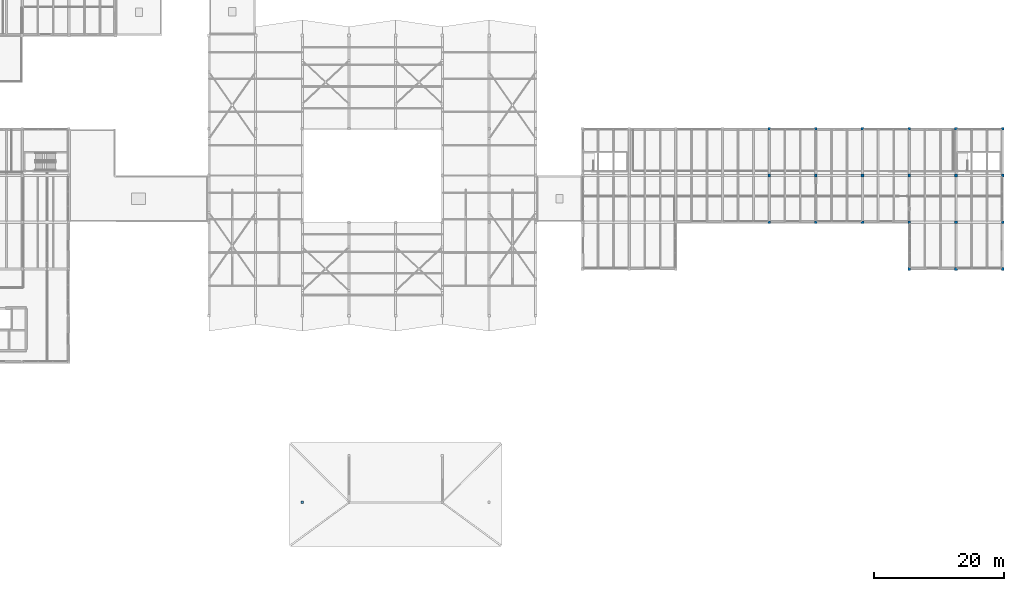
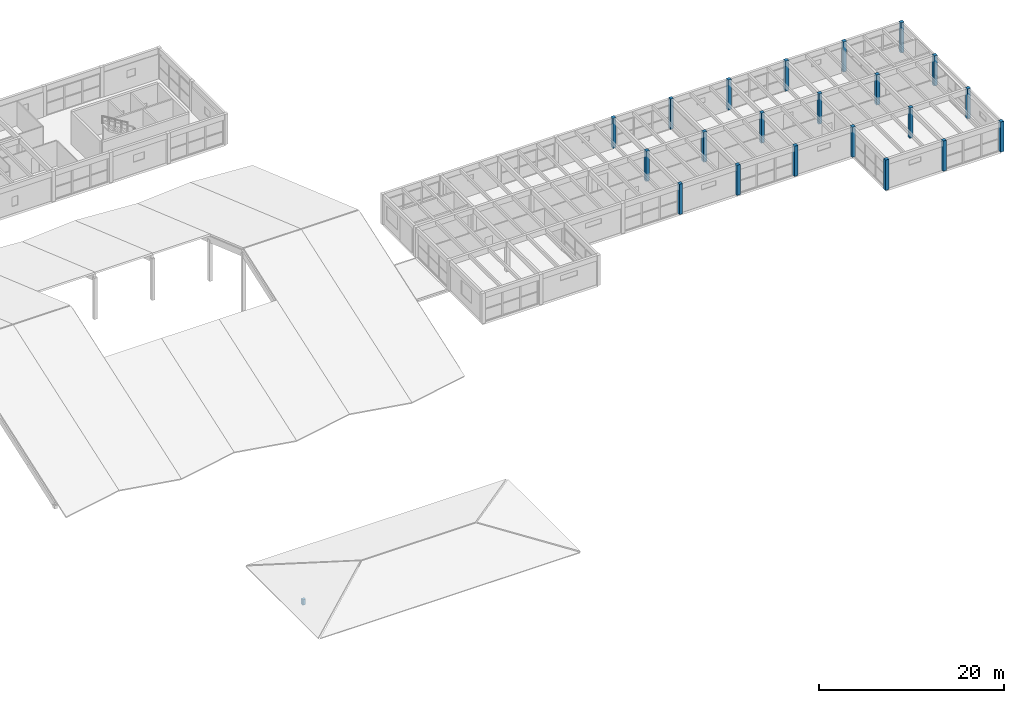
# One storey, part 4 of 68: 22 columns.
"""IFC4 building model written with IfcOpenShell, lengths in metres."""

from ifc_helpers import new_model, si_unit, direction, frame, origin, origin_2d, place, context, subcontext, project, spatial, rectangle, extrude, material, material_profile, profile_set, type_object, element, save


model = new_model("IFC4")

# Units and contexts
model_context = context("Model", 3, precision=1e-05, world=origin(), true_north=direction((0.0, 1.0)))
body_context = subcontext(model_context, "Body", "Model", "MODEL_VIEW")
ifc_project = project(units=[si_unit("LENGTHUNIT", "METRE"), si_unit("AREAUNIT", "SQUARE_METRE"), si_unit("VOLUMEUNIT", "CUBIC_METRE"), si_unit("PLANEANGLEUNIT", "RADIAN"), si_unit("MASSUNIT", "GRAM", prefix="KILO")], contexts=[model_context])

# Site, building, storey
site_placement = place(None, origin())
site = spatial("IfcSite", under=ifc_project, at=site_placement, CompositionType="ELEMENT")
building_placement = place(site_placement, origin())
building = spatial("IfcBuilding", under=site, at=building_placement, Name="Bramvelor Terrace Health Centre", CompositionType="ELEMENT")
storey_placement = place(building_placement, frame((0.0, 0.0, 9.300048828125)))
storey = spatial("IfcBuildingStorey", under=building, at=storey_placement, Name="L03", CompositionType="ELEMENT", Elevation=9.300048828125)

# Columns
ifc_material_1 = material(Name="Glulam GL28h", Category="wood")
ifc_material_profile_1 = material_profile(ifc_material_1, rectangle(XDim=0.360107421875, YDim=0.360107421875, at=origin_2d()), Name="GL 360x360")
ifc_profile_set_1 = profile_set([ifc_material_profile_1], Name="Glulam GL28h")
column_type_1 = type_object("IfcColumnType", Name="COL-GL-360", PredefinedType="COLUMN", material=ifc_profile_set_1)
column_placement = place(storey_placement, frame((57.60009765625, 7.199951171875, -0.25), z_axis=(0.0, 0.0, 1.0), x_axis=(1.0, 0.0, 0.0)))
element("IfcColumn", 1, at=column_placement, inside=storey, type_object=column_type_1, Name="Prairie Hip Roof Ring Post (57.6, 7.2)", PredefinedType="COLUMN", context=body_context, shape_type="SweptSolid", body=[
    extrude(rectangle(XDim=0.360107421875, YDim=0.360107421875, at=origin_2d()), origin(), (0.0, 0.0, 1.0), 0.724609375),
])
ifc_material_2 = material(Name="Glulam GL28h", Category="wood")
ifc_material_profile_2 = material_profile(ifc_material_2, rectangle(XDim=0.419921875, YDim=0.419921875, at=origin_2d()), Name="GL 420x420")
ifc_profile_set_2 = profile_set([ifc_material_profile_2], Name="Glulam GL28h")
column_type_2 = type_object("IfcColumnType", Name="COL-GL-420", PredefinedType="COLUMN", material=ifc_profile_set_2)
for number, where, z_axis, x_axis, name in (
    (2, (129.60009765625, 50.39990234375, 0.0), (0.0, 0.0, 1.0), (1.0, 0.0, 0.0), "L03 Column (129.6, 50.4)"),
    (3, (129.60009765625, 57.60009765625, 0.0), (0.0, 0.0, 1.0), (1.0, 0.0, 0.0), "L03 Column (129.6, 57.6)"),
    (4, (129.60009765625, 64.800048828125, 0.0), (0.0, 0.0, 1.0), (1.0, 0.0, 0.0), "L03 Column (129.6, 64.8)"),
    (5, (136.800048828125, 50.39990234375, 0.0), (0.0, 0.0, 1.0), (1.0, 0.0, 0.0), "L03 Column (136.8, 50.4)"),
    (6, (136.800048828125, 57.60009765625, 0.0), (0.0, 0.0, 1.0), (1.0, 0.0, 0.0), "L03 Column (136.8, 57.6)"),
    (7, (136.800048828125, 64.800048828125, 0.0), (0.0, 0.0, 1.0), (1.0, 0.0, 0.0), "L03 Column (136.8, 64.8)"),
    (8, (144.0, 50.39990234375, 0.0), (0.0, 0.0, 1.0), (1.0, 0.0, 0.0), "L03 Column (144.0, 50.4)"),
    (9, (144.0, 57.60009765625, 0.0), (0.0, 0.0, 1.0), (1.0, 0.0, 0.0), "L03 Column (144.0, 57.6)"),
    (10, (144.0, 64.800048828125, 0.0), (0.0, 0.0, 1.0), (1.0, 0.0, 0.0), "L03 Column (144.0, 64.8)"),
    (11, (151.199951171875, 43.199951171875, 0.0), (0.0, 0.0, 1.0), (1.0, 0.0, 0.0), "L03 Column (151.2, 43.2)"),
    (12, (151.199951171875, 50.39990234375, 0.0), (0.0, 0.0, 1.0), (1.0, 0.0, 0.0), "L03 Column (151.2, 50.4)"),
    (13, (151.199951171875, 57.60009765625, 0.0), (0.0, 0.0, 1.0), (1.0, 0.0, 0.0), "L03 Column (151.2, 57.6)"),
    (14, (151.199951171875, 64.800048828125, 0.0), (0.0, 0.0, 1.0), (1.0, 0.0, 0.0), "L03 Column (151.2, 64.8)"),
    (15, (158.39990234375, 43.199951171875, 0.0), (0.0, 0.0, 1.0), (1.0, 0.0, 0.0), "L03 Column (158.4, 43.2)"),
    (16, (158.39990234375, 50.39990234375, 0.0), (0.0, 0.0, 1.0), (1.0, 0.0, 0.0), "L03 Column (158.4, 50.4)"),
    (17, (158.39990234375, 57.60009765625, 0.0), (0.0, 0.0, 1.0), (1.0, 0.0, 0.0), "L03 Column (158.4, 57.6)"),
    (18, (158.39990234375, 64.800048828125, 0.0), (0.0, 0.0, 1.0), (1.0, 0.0, 0.0), "L03 Column (158.4, 64.8)"),
):
    element("IfcColumn", number, at=place(storey_placement, frame(where, z_axis=z_axis, x_axis=x_axis)), inside=storey, type_object=column_type_2, Name=name, PredefinedType="COLUMN", context=body_context, shape_type="SweptSolid", body=[
        extrude(rectangle(XDim=0.419921875, YDim=0.419921875, at=origin_2d()), origin(), (0.0, 0.0, 1.0), 3.989990234375),
    ])
ifc_material_3 = material(Name="Glulam GL28h", Category="wood")
ifc_material_profile_3 = material_profile(ifc_material_3, rectangle(XDim=0.419921875, YDim=0.419921875, at=origin_2d()), Name="GL 420x420")
ifc_profile_set_3 = profile_set([ifc_material_profile_3], Name="Glulam GL28h")
column_type_3 = type_object("IfcColumnType", Name="COL-GL-420-EXT", PredefinedType="COLUMN", material=ifc_profile_set_3)
for number, where, z_axis, x_axis, name in (
    (19, (165.60009765625, 43.199951171875, 0.0), (0.0, 0.0, 1.0), (1.0, 0.0, 0.0), "L03 Column (165.6, 43.2)"),
    (20, (165.60009765625, 50.39990234375, 0.0), (0.0, 0.0, 1.0), (1.0, 0.0, 0.0), "L03 Column (165.6, 50.4)"),
    (21, (165.60009765625, 57.60009765625, 0.0), (0.0, 0.0, 1.0), (1.0, 0.0, 0.0), "L03 Column (165.6, 57.6)"),
    (22, (165.60009765625, 64.800048828125, 0.0), (0.0, 0.0, 1.0), (1.0, 0.0, 0.0), "L03 Column (165.6, 64.8)"),
):
    element("IfcColumn", number, at=place(storey_placement, frame(where, z_axis=z_axis, x_axis=x_axis)), inside=storey, type_object=column_type_3, Name=name, PredefinedType="COLUMN", context=body_context, shape_type="SweptSolid", body=[
        extrude(rectangle(XDim=0.419921875, YDim=0.419921875, at=origin_2d()), origin(), (0.0, 0.0, 1.0), 3.989990234375),
    ])

save(model, "model.ifc")
